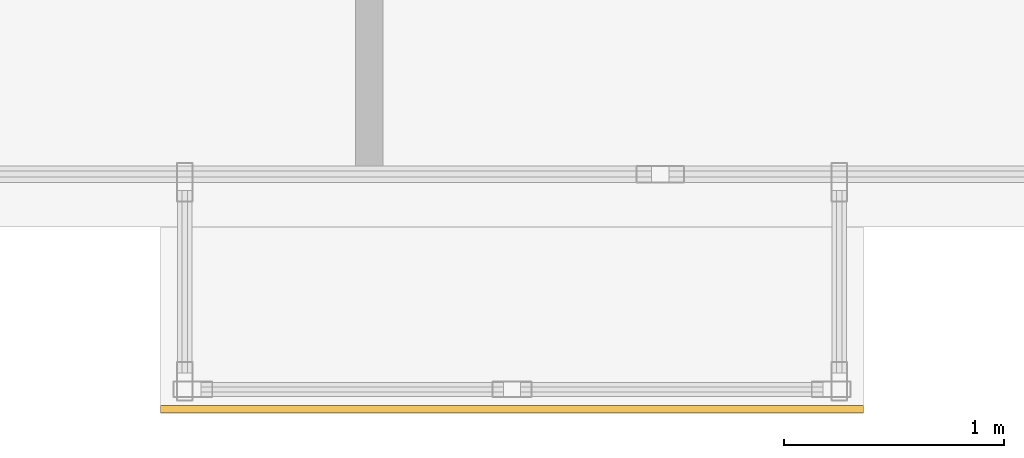
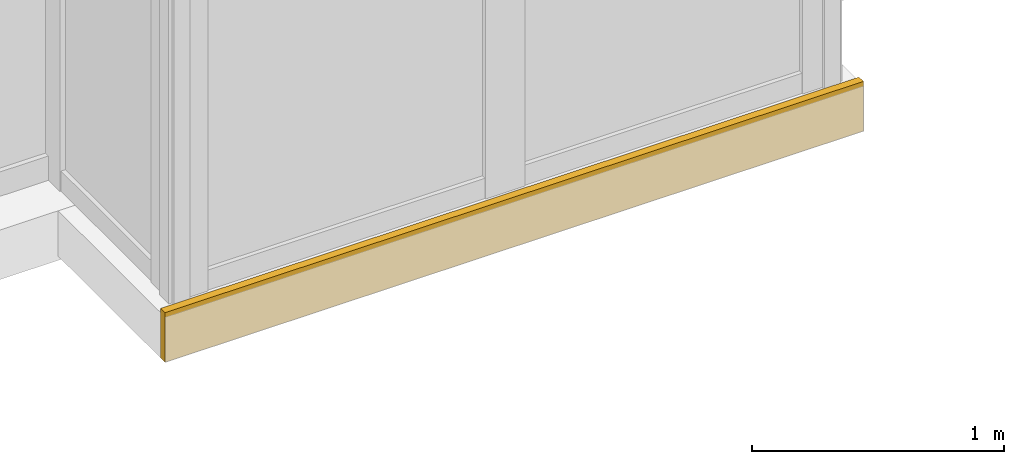
# One storey, part 21 of 22: 1 covering.
"""IFC4 building model written with IfcOpenShell, lengths in metres."""

import ifcopenshell
import ifcopenshell.guid

model = None  # the IFC model being written
_history = None  # IfcOwnerHistory: only IFC2X3 demands one
_inside = {}  # id of a spatial element -> (the spatial element, [elements in it])
_under = {}  # id of a project, library or spatial element -> (it, [spatial elements below it])
_declared = {}  # id of a project -> (the project, [libraries it declares])
_typed = {}  # id of a type object -> (the type object, [elements of that type])
_made_of = {}  # id of a material, layer set ... -> (it, [elements and type objects made of it])


def new_model(schema):
    """Start an empty IFC model of exactly this schema.

    Asked for "IFC4X3", IfcOpenShell would pick the latest addendum, in which some entities
    have other attributes; the version numbers below select the first issue.
    IFC2X3 requires an IfcOwnerHistory on every rooted entity: one is made here for all.
    """
    global model, _history
    if schema == "IFC4X3":
        model = ifcopenshell.file(schema_version=(4, 3, 0, 0))
    else:
        model = ifcopenshell.file(schema=schema)
    _inside.clear()
    _under.clear()
    _declared.clear()
    _typed.clear()
    _made_of.clear()
    _history = None
    if model.schema == "IFC2X3":
        org = make("IfcOrganization", Name="unknown")
        user = make(
            "IfcPersonAndOrganization",
            ThePerson=make("IfcPerson", FamilyName="unknown"),
            TheOrganization=org,
        )
        app = make(
            "IfcApplication",
            ApplicationDeveloper=org,
            Version="unknown",
            ApplicationFullName="unknown",
            ApplicationIdentifier="unknown",
        )
        _history = make(
            "IfcOwnerHistory",
            OwningUser=user,
            OwningApplication=app,
            ChangeAction="ADDED",
            CreationDate=0,
        )
    return model


def make(cls, **values):
    """One entity of the class cls with the attributes given. An attribute that is None is left unset."""
    return model.create_entity(
        cls, **{name: value for name, value in values.items() if value is not None}
    )


def rooted(cls, **values):
    """An entity with a GlobalId (a new one), such as an element, a storey or a relation."""
    return make(cls, GlobalId=ifcopenshell.guid.new(), OwnerHistory=_history, **values)


def si_unit(unit_type, name, prefix=None):
    """IfcSIUnit, for example si_unit("LENGTHUNIT", "METRE", prefix="MILLI")."""
    return make("IfcSIUnit", UnitType=unit_type, Prefix=prefix, Name=name)


def assignment(units):
    """IfcUnitAssignment: the units of a project."""
    return None if units is None else make("IfcUnitAssignment", Units=units)


def point(xyz):
    """IfcCartesianPoint."""
    return None if xyz is None else make("IfcCartesianPoint", Coordinates=xyz)


def direction(xyz):
    """IfcDirection."""
    return None if xyz is None else make("IfcDirection", DirectionRatios=xyz)


def frame(location, z_axis=None, x_axis=None):
    """IfcAxis2Placement3D, a coordinate frame: its origin and axes. An axis left out is left unset."""
    return make(
        "IfcAxis2Placement3D",
        Location=point(location),
        Axis=direction(z_axis),
        RefDirection=direction(x_axis),
    )


def frame_2d(location, x_axis=None):
    """IfcAxis2Placement2D, a coordinate frame in the plane: its origin and x axis."""
    return make(
        "IfcAxis2Placement2D", Location=point(location), RefDirection=direction(x_axis)
    )


def origin():
    """The frame at (0, 0, 0) with its axes left unset."""
    return frame((0.0, 0.0, 0.0))


def origin_2d():
    """The frame at (0, 0) in the plane with its x axis left unset."""
    return frame_2d((0.0, 0.0))


def place(relative_to, where):
    """IfcLocalPlacement: puts the frame where relative to a parent placement (None: the world)."""
    return make(
        "IfcLocalPlacement", PlacementRelTo=relative_to, RelativePlacement=where
    )


def context(
    kind, dimensions, precision=None, world=None, true_north=None, identifier=None
):
    """IfcGeometricRepresentationContext, for example the 3D "Model" context."""
    return make(
        "IfcGeometricRepresentationContext",
        ContextIdentifier=identifier,
        ContextType=kind,
        CoordinateSpaceDimension=dimensions,
        Precision=precision,
        WorldCoordinateSystem=world,
        TrueNorth=true_north,
    )


def subcontext(parent, identifier, kind, view, scale=None):
    """IfcGeometricRepresentationSubContext, for example "Body" below "Model"."""
    return make(
        "IfcGeometricRepresentationSubContext",
        ContextIdentifier=identifier,
        ContextType=kind,
        ParentContext=parent,
        TargetScale=scale,
        TargetView=view,
    )


def project(units=None, contexts=None):
    """IfcProject with its units and contexts."""
    return rooted(
        "IfcProject",
        Name="project",
        RepresentationContexts=contexts,
        UnitsInContext=assignment(units),
    )


def spatial(cls, under=None, at=None, **own):
    """A site, building, storey or space (cls), placed at a placement, below another one or the project."""
    s = rooted(cls, ObjectPlacement=at, **own)
    if under is not None:
        _under.setdefault(under.id(), (under, []))[1].append(s)
    return s


def profile(cls, at=None, kind="AREA", **sizes):
    """A parametric profile (cls). Its sizes go by their IFC names, for example OverallWidth=200.0."""
    return make(cls, ProfileType=kind, Position=at, **sizes)


def rectangle(**sizes):
    """IfcRectangleProfileDef."""
    return profile("IfcRectangleProfileDef", **sizes)


def extrude(swept, where, along, depth):
    """IfcExtrudedAreaSolid: the profile swept, set in the frame where, extruded along a direction by depth."""
    return make(
        "IfcExtrudedAreaSolid",
        SweptArea=swept,
        Position=where,
        ExtrudedDirection=direction(along),
        Depth=depth,
    )


def shape(context_of_items, identifier, shape_type, items):
    """IfcShapeRepresentation: the items that make up one representation, for example the "Body"."""
    return make(
        "IfcShapeRepresentation",
        ContextOfItems=context_of_items,
        RepresentationIdentifier=identifier,
        RepresentationType=shape_type,
        Items=items,
    )


def material(Name=None, Category=None):
    """IfcMaterial."""
    return make("IfcMaterial", Name=Name, Category=Category)


def layer(
    of_material, thickness, ventilated=None, Name=None, Category=None, Priority=None
):
    """IfcMaterialLayer: one layer of a wall or slab, of a material (None: an air gap)."""
    return make(
        "IfcMaterialLayer",
        Material=of_material,
        LayerThickness=thickness,
        IsVentilated=ventilated,
        Name=Name,
        Category=Category,
        Priority=Priority,
    )


def layer_set(layers, Name=None):
    """IfcMaterialLayerSet."""
    return make("IfcMaterialLayerSet", MaterialLayers=layers, LayerSetName=Name)


def made_of(thing, what):
    """Note that an element or type object is made of a material, layer set ...; save() writes the relation."""
    if what is not None:
        _made_of.setdefault(what.id(), (what, []))[1].append(thing)
    return thing


def type_object(cls, material=None, **own):
    """A type object (cls), such as IfcWallType, which elements share."""
    return made_of(rooted(cls, **own), material)


def element(
    cls,
    number,
    at=None,
    inside=None,
    cuts=None,
    type_object=None,
    material=None,
    context=None,
    identifier="Body",
    shape_type=None,
    held_by="IfcProductDefinitionShape",
    body=None,
    shapes=None,
    **own,
):
    """One element of the class cls, such as IfcWall. Its Tag is "e" and its number.

    at: its placement. inside: the storey or other place that contains it. cuts: it is an
    opening in that element (IfcRelVoidsElement). A single representation is given by context,
    identifier, shape_type and body (its items); several are given by shapes. held_by: the class
    of the entity that holds the representations. save() writes the other relations.
    """
    e = rooted(cls, Tag="e%d" % number, ObjectPlacement=at, **own)
    if body is not None:
        shapes = [shape(context, identifier, shape_type, body)]
    if shapes is not None:
        e.Representation = make(held_by, Representations=shapes)
    if inside is not None:
        _inside.setdefault(inside.id(), (inside, []))[1].append(e)
    if cuts is not None:
        rooted(
            "IfcRelVoidsElement", RelatingBuildingElement=cuts, RelatedOpeningElement=e
        )
    if type_object is not None:
        _typed.setdefault(type_object.id(), (type_object, []))[1].append(e)
    return made_of(e, material)


def aggregate(whole, parts):
    """IfcRelAggregates: a whole, such as a stair, and the parts it consists of."""
    return rooted("IfcRelAggregates", RelatingObject=whole, RelatedObjects=parts)


def save(model, path):
    """Write the relations noted so far, then the file.

    IfcRelAggregates (storeys below a building ...), IfcRelContainedInSpatialStructure (elements
    in a storey), IfcRelDefinesByType, IfcRelAssociatesMaterial and IfcRelDeclares: one each for
    every whole, place, type object, material and project.
    """
    for whole, parts in _under.values():
        aggregate(whole, parts)
    for where, things in _inside.values():
        rooted(
            "IfcRelContainedInSpatialStructure",
            RelatedElements=things,
            RelatingStructure=where,
        )
    for kind, things in _typed.values():
        rooted("IfcRelDefinesByType", RelatedObjects=things, RelatingType=kind)
    for what, things in _made_of.values():
        rooted("IfcRelAssociatesMaterial", RelatedObjects=things, RelatingMaterial=what)
    for by, libraries in _declared.values():
        rooted("IfcRelDeclares", RelatingContext=by, RelatedDefinitions=libraries)
    model.write(path)


model = new_model("IFC4")

# Units and contexts
model_context = context("Model", 3, precision=1e-05, world=origin(), true_north=direction((0.0, 1.0)))
body_context = subcontext(model_context, "Body", "Model", "MODEL_VIEW")
ifc_project = project(units=[si_unit("LENGTHUNIT", "METRE"), si_unit("AREAUNIT", "SQUARE_METRE"), si_unit("VOLUMEUNIT", "CUBIC_METRE"), si_unit("PLANEANGLEUNIT", "RADIAN"), si_unit("MASSUNIT", "GRAM", prefix="KILO")], contexts=[model_context])

# Site, building, storey
site_placement = place(None, origin())
site = spatial("IfcSite", under=ifc_project, at=site_placement, CompositionType="ELEMENT")
building_placement = place(site_placement, origin())
building = spatial("IfcBuilding", under=site, at=building_placement, Name="Kolvaren Waterfront Exchange", CompositionType="ELEMENT")
storey_placement = place(building_placement, frame((0.0, 0.0, 274.199951171875)))
storey = spatial("IfcBuildingStorey", under=building, at=storey_placement, Name="L70", CompositionType="ELEMENT", Elevation=274.199951171875)

# Covering
ifc_material = material(Name="Anodised bronze fascia aluminium", Category="aluminium")
ifc_layer = layer(ifc_material, 0.034912109375, Name="Anodised bronze fascia aluminium")
ifc_layer_set = layer_set([ifc_layer], Name="Anodised bronze fascia aluminium")
covering_type = type_object("IfcCoveringType", Name="ARC-CLAD-BRONZE-35", PredefinedType="CLADDING", material=ifc_layer_set)
covering_placement = place(storey_placement, frame((40.5, 2.77001953125, -0.2197265625), z_axis=(0.0, 0.0, 1.0), x_axis=(1.0, 0.0, 0.0)))
element("IfcCovering", 1, at=covering_placement, inside=storey, type_object=covering_type, Name="L70 ribbed anodised bronze bay-box fascia", PredefinedType="CLADDING", context=body_context, shape_type="SweptSolid", body=[
    extrude(rectangle(XDim=3.199951171875, YDim=0.034912109375, at=origin_2d()), origin(), (0.0, 0.0, 1.0), 0.239990234375),
])

save(model, "model.ifc")
